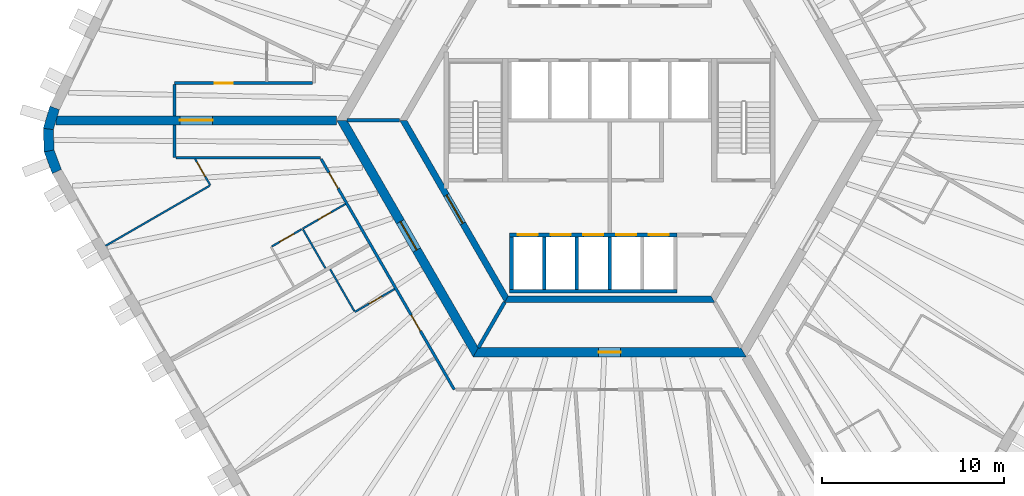
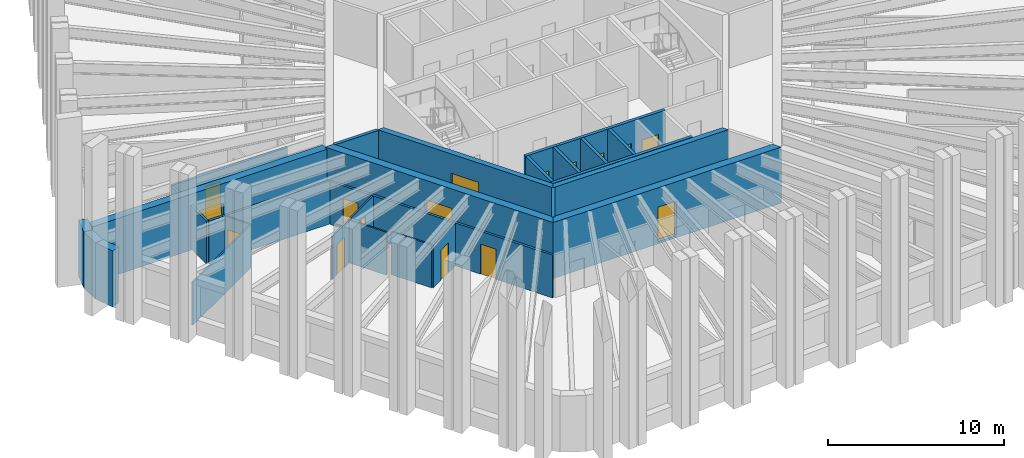
# One storey, part 3 of 10: 28 walls, 16 doors, 16 openings.
"""IFC4 building model written with IfcOpenShell, lengths in metres."""

import ifcopenshell
import ifcopenshell.guid

model = None  # the IFC model being written
_history = None  # IfcOwnerHistory: only IFC2X3 demands one
_inside = {}  # id of a spatial element -> (the spatial element, [elements in it])
_under = {}  # id of a project, library or spatial element -> (it, [spatial elements below it])
_declared = {}  # id of a project -> (the project, [libraries it declares])
_typed = {}  # id of a type object -> (the type object, [elements of that type])
_made_of = {}  # id of a material, layer set ... -> (it, [elements and type objects made of it])


def new_model(schema):
    """Start an empty IFC model of exactly this schema.

    Asked for "IFC4X3", IfcOpenShell would pick the latest addendum, in which some entities
    have other attributes; the version numbers below select the first issue.
    IFC2X3 requires an IfcOwnerHistory on every rooted entity: one is made here for all.
    """
    global model, _history
    if schema == "IFC4X3":
        model = ifcopenshell.file(schema_version=(4, 3, 0, 0))
    else:
        model = ifcopenshell.file(schema=schema)
    _inside.clear()
    _under.clear()
    _declared.clear()
    _typed.clear()
    _made_of.clear()
    _history = None
    if model.schema == "IFC2X3":
        org = make("IfcOrganization", Name="unknown")
        user = make(
            "IfcPersonAndOrganization",
            ThePerson=make("IfcPerson", FamilyName="unknown"),
            TheOrganization=org,
        )
        app = make(
            "IfcApplication",
            ApplicationDeveloper=org,
            Version="unknown",
            ApplicationFullName="unknown",
            ApplicationIdentifier="unknown",
        )
        _history = make(
            "IfcOwnerHistory",
            OwningUser=user,
            OwningApplication=app,
            ChangeAction="ADDED",
            CreationDate=0,
        )
    return model


def make(cls, **values):
    """One entity of the class cls with the attributes given. An attribute that is None is left unset."""
    return model.create_entity(
        cls, **{name: value for name, value in values.items() if value is not None}
    )


def rooted(cls, **values):
    """An entity with a GlobalId (a new one), such as an element, a storey or a relation."""
    return make(cls, GlobalId=ifcopenshell.guid.new(), OwnerHistory=_history, **values)


def si_unit(unit_type, name, prefix=None):
    """IfcSIUnit, for example si_unit("LENGTHUNIT", "METRE", prefix="MILLI")."""
    return make("IfcSIUnit", UnitType=unit_type, Prefix=prefix, Name=name)


def assignment(units):
    """IfcUnitAssignment: the units of a project."""
    return None if units is None else make("IfcUnitAssignment", Units=units)


def point(xyz):
    """IfcCartesianPoint."""
    return None if xyz is None else make("IfcCartesianPoint", Coordinates=xyz)


def direction(xyz):
    """IfcDirection."""
    return None if xyz is None else make("IfcDirection", DirectionRatios=xyz)


def frame(location, z_axis=None, x_axis=None):
    """IfcAxis2Placement3D, a coordinate frame: its origin and axes. An axis left out is left unset."""
    return make(
        "IfcAxis2Placement3D",
        Location=point(location),
        Axis=direction(z_axis),
        RefDirection=direction(x_axis),
    )


def frame_2d(location, x_axis=None):
    """IfcAxis2Placement2D, a coordinate frame in the plane: its origin and x axis."""
    return make(
        "IfcAxis2Placement2D", Location=point(location), RefDirection=direction(x_axis)
    )


def origin():
    """The frame at (0, 0, 0) with its axes left unset."""
    return frame((0.0, 0.0, 0.0))


def place(relative_to, where):
    """IfcLocalPlacement: puts the frame where relative to a parent placement (None: the world)."""
    return make(
        "IfcLocalPlacement", PlacementRelTo=relative_to, RelativePlacement=where
    )


def context(
    kind, dimensions, precision=None, world=None, true_north=None, identifier=None
):
    """IfcGeometricRepresentationContext, for example the 3D "Model" context."""
    return make(
        "IfcGeometricRepresentationContext",
        ContextIdentifier=identifier,
        ContextType=kind,
        CoordinateSpaceDimension=dimensions,
        Precision=precision,
        WorldCoordinateSystem=world,
        TrueNorth=true_north,
    )


def subcontext(parent, identifier, kind, view, scale=None):
    """IfcGeometricRepresentationSubContext, for example "Body" below "Model"."""
    return make(
        "IfcGeometricRepresentationSubContext",
        ContextIdentifier=identifier,
        ContextType=kind,
        ParentContext=parent,
        TargetScale=scale,
        TargetView=view,
    )


def project(units=None, contexts=None):
    """IfcProject with its units and contexts."""
    return rooted(
        "IfcProject",
        Name="project",
        RepresentationContexts=contexts,
        UnitsInContext=assignment(units),
    )


def spatial(cls, under=None, at=None, **own):
    """A site, building, storey or space (cls), placed at a placement, below another one or the project."""
    s = rooted(cls, ObjectPlacement=at, **own)
    if under is not None:
        _under.setdefault(under.id(), (under, []))[1].append(s)
    return s


def polyline(points):
    """IfcPolyline through the points."""
    return make("IfcPolyline", Points=[point(p) for p in points])


def profile(cls, at=None, kind="AREA", **sizes):
    """A parametric profile (cls). Its sizes go by their IFC names, for example OverallWidth=200.0."""
    return make(cls, ProfileType=kind, Position=at, **sizes)


def rectangle(**sizes):
    """IfcRectangleProfileDef."""
    return profile("IfcRectangleProfileDef", **sizes)


def outline(outer, holes=None, kind="AREA"):
    """IfcArbitraryClosedProfileDef: a profile drawn as a closed curve; with holes, ...WithVoids."""
    if holes is None:
        return make("IfcArbitraryClosedProfileDef", ProfileType=kind, OuterCurve=outer)
    return make(
        "IfcArbitraryProfileDefWithVoids",
        ProfileType=kind,
        OuterCurve=outer,
        InnerCurves=holes,
    )


def extrude(swept, where, along, depth):
    """IfcExtrudedAreaSolid: the profile swept, set in the frame where, extruded along a direction by depth."""
    return make(
        "IfcExtrudedAreaSolid",
        SweptArea=swept,
        Position=where,
        ExtrudedDirection=direction(along),
        Depth=depth,
    )


def shape(context_of_items, identifier, shape_type, items):
    """IfcShapeRepresentation: the items that make up one representation, for example the "Body"."""
    return make(
        "IfcShapeRepresentation",
        ContextOfItems=context_of_items,
        RepresentationIdentifier=identifier,
        RepresentationType=shape_type,
        Items=items,
    )


def material(Name=None, Category=None):
    """IfcMaterial."""
    return make("IfcMaterial", Name=Name, Category=Category)


def layer(
    of_material, thickness, ventilated=None, Name=None, Category=None, Priority=None
):
    """IfcMaterialLayer: one layer of a wall or slab, of a material (None: an air gap)."""
    return make(
        "IfcMaterialLayer",
        Material=of_material,
        LayerThickness=thickness,
        IsVentilated=ventilated,
        Name=Name,
        Category=Category,
        Priority=Priority,
    )


def layer_set(layers, Name=None):
    """IfcMaterialLayerSet."""
    return make("IfcMaterialLayerSet", MaterialLayers=layers, LayerSetName=Name)


def made_of(thing, what):
    """Note that an element or type object is made of a material, layer set ...; save() writes the relation."""
    if what is not None:
        _made_of.setdefault(what.id(), (what, []))[1].append(thing)
    return thing


def type_object(cls, material=None, **own):
    """A type object (cls), such as IfcWallType, which elements share."""
    return made_of(rooted(cls, **own), material)


def element(
    cls,
    number,
    at=None,
    inside=None,
    cuts=None,
    type_object=None,
    material=None,
    context=None,
    identifier="Body",
    shape_type=None,
    held_by="IfcProductDefinitionShape",
    body=None,
    shapes=None,
    **own,
):
    """One element of the class cls, such as IfcWall. Its Tag is "e" and its number.

    at: its placement. inside: the storey or other place that contains it. cuts: it is an
    opening in that element (IfcRelVoidsElement). A single representation is given by context,
    identifier, shape_type and body (its items); several are given by shapes. held_by: the class
    of the entity that holds the representations. save() writes the other relations.
    """
    e = rooted(cls, Tag="e%d" % number, ObjectPlacement=at, **own)
    if body is not None:
        shapes = [shape(context, identifier, shape_type, body)]
    if shapes is not None:
        e.Representation = make(held_by, Representations=shapes)
    if inside is not None:
        _inside.setdefault(inside.id(), (inside, []))[1].append(e)
    if cuts is not None:
        rooted(
            "IfcRelVoidsElement", RelatingBuildingElement=cuts, RelatedOpeningElement=e
        )
    if type_object is not None:
        _typed.setdefault(type_object.id(), (type_object, []))[1].append(e)
    return made_of(e, material)


def fill(opening, filler):
    """IfcRelFillsElement: the door or window that sits in an opening."""
    return rooted(
        "IfcRelFillsElement",
        RelatingOpeningElement=opening,
        RelatedBuildingElement=filler,
    )


def aggregate(whole, parts):
    """IfcRelAggregates: a whole, such as a stair, and the parts it consists of."""
    return rooted("IfcRelAggregates", RelatingObject=whole, RelatedObjects=parts)


def save(model, path):
    """Write the relations noted so far, then the file.

    IfcRelAggregates (storeys below a building ...), IfcRelContainedInSpatialStructure (elements
    in a storey), IfcRelDefinesByType, IfcRelAssociatesMaterial and IfcRelDeclares: one each for
    every whole, place, type object, material and project.
    """
    for whole, parts in _under.values():
        aggregate(whole, parts)
    for where, things in _inside.values():
        rooted(
            "IfcRelContainedInSpatialStructure",
            RelatedElements=things,
            RelatingStructure=where,
        )
    for kind, things in _typed.values():
        rooted("IfcRelDefinesByType", RelatedObjects=things, RelatingType=kind)
    for what, things in _made_of.values():
        rooted("IfcRelAssociatesMaterial", RelatedObjects=things, RelatingMaterial=what)
    for by, libraries in _declared.values():
        rooted("IfcRelDeclares", RelatingContext=by, RelatedDefinitions=libraries)
    model.write(path)


model = new_model("IFC4")

# Units and contexts
model_context = context("Model", 3, precision=1e-05, world=origin(), true_north=direction((0.0, 1.0)))
body_context = subcontext(model_context, "Body", "Model", "MODEL_VIEW")
ifc_project = project(units=[si_unit("LENGTHUNIT", "METRE"), si_unit("AREAUNIT", "SQUARE_METRE"), si_unit("VOLUMEUNIT", "CUBIC_METRE"), si_unit("PLANEANGLEUNIT", "RADIAN"), si_unit("MASSUNIT", "GRAM", prefix="KILO")], contexts=[model_context])

# Site, building, storey
site_placement = place(None, origin())
site = spatial("IfcSite", under=ifc_project, at=site_placement, CompositionType="ELEMENT")
building_placement = place(site_placement, origin())
building = spatial("IfcBuilding", under=site, at=building_placement, Name="Tarnside Tower", CompositionType="ELEMENT")
storey_placement = place(building_placement, frame((0.0, 0.0, 226.800048828125)))
storey = spatial("IfcBuildingStorey", under=building, at=storey_placement, Name="L54", CompositionType="ELEMENT", Elevation=226.800048828125)

# Wall, opening, door
ifc_material_1 = material(Name="Gypsum board partition on steel studs", Category="steel")
ifc_layer_1 = layer(ifc_material_1, 0.10009765625)
ifc_layer_set_1 = layer_set([ifc_layer_1], Name="Bathroom wall 100")
wall_type_1 = type_object("IfcWallType", Name="Bathroom wall 100", PredefinedType="PARTITIONING", material=ifc_layer_set_1)
wall_1_placement = place(storey_placement, frame((-16.883056640625, -5.95751953125, 0.0), z_axis=(0.0, 0.0, 1.0), x_axis=(0.866012511928, 0.500022328685, 0.0)))
wall_1 = element("IfcWall", 1, at=wall_1_placement, inside=storey, type_object=wall_type_1, Name="Bathroom wall 18069", PredefinedType="PARTITIONING", context=body_context, shape_type="SweptSolid", body=[
    extrude(rectangle(XDim=2.72509765625, YDim=0.10009765625, at=frame_2d((1.362548828125, 0.0))), origin(), (0.0, 0.0, 1.0), 2.98779296875),
])
opening_1_placement = place(wall_1_placement, frame((1.0, 0.0, 0.0)))
opening_1 = element("IfcOpeningElement", 2, at=opening_1_placement, cuts=wall_1, Name="Opening D-B1", PredefinedType="OPENING", context=body_context, shape_type="SweptSolid", body=[
    extrude(rectangle(XDim=0.800048828125, YDim=2.10009765625, at=frame_2d((0.39990234375, 1.050048828125))), frame((0.0, 0.06005859375, 0.0), z_axis=(0.0, -1.0, 0.0), x_axis=(1.0, 0.0, 0.0)), (0.0, 0.0, 1.0), 0.1201171875),
])
ifc_material_2 = material(Name="Timber door leaf", Category="wood")
door_type_1 = type_object("IfcDoorType", Name="Bathroom door 800", OperationType="NOTDEFINED", PredefinedType="DOOR", material=ifc_material_2)
door_1_placement = place(opening_1_placement, origin())
door_1 = element("IfcDoor", 3, at=door_1_placement, inside=storey, type_object=door_type_1, Name="Bathroom door 18013", OperationType="SINGLE_SWING_LEFT", OverallHeight=2.10009765625, OverallWidth=0.800048828125, PredefinedType="DOOR", context=body_context, shape_type="SweptSolid", body=[
    extrude(rectangle(XDim=0.800048828125, YDim=2.10009765625, at=frame_2d((0.39990234375, 1.050048828125))), frame((0.0, 0.02490234375, 0.0), z_axis=(0.0, -1.0, 0.0), x_axis=(1.0, 0.0, 0.0)), (0.0, 0.0, 1.0), 0.050048828125),
])
fill(opening_1, door_1)

# Wall
wall_2_placement = place(storey_placement, frame((-16.858154296875, -6.0009765625, 0.0), z_axis=(0.0, 0.0, 1.0), x_axis=(0.500003092839, -0.866023618125, 0.0)))
element("IfcWall", 4, at=wall_2_placement, inside=storey, type_object=wall_type_1, Name="Bathroom wall 18075", PredefinedType="PARTITIONING", context=body_context, shape_type="SweptSolid", body=[
    extrude(rectangle(XDim=2.4599609375, YDim=0.10009765625, at=frame_2d((1.22998046875, 0.0))), origin(), (0.0, 0.0, 1.0), 2.98779296875),
])

# Wall, opening, door
wall_3_placement = place(storey_placement, frame((-11.8232421875, -9.271728515625, 0.0), z_axis=(0.0, 0.0, 1.0), x_axis=(-0.866039067339, -0.499976333282, 0.0)))
wall_3 = element("IfcWall", 5, at=wall_3_placement, inside=storey, type_object=wall_type_1, Name="Bathroom wall 18079", PredefinedType="PARTITIONING", context=body_context, shape_type="SweptSolid", body=[
    extrude(rectangle(XDim=2.52490234375, YDim=0.10009765625, at=frame_2d((1.262451171875, 0.0))), origin(), (0.0, 0.0, 1.0), 2.98779296875),
])
opening_2_placement = place(wall_3_placement, frame((0.824951171875, 0.0, 0.0)))
opening_2 = element("IfcOpeningElement", 6, at=opening_2_placement, cuts=wall_3, Name="Opening D-B1", PredefinedType="OPENING", context=body_context, shape_type="SweptSolid", body=[
    extrude(rectangle(XDim=0.800048828125, YDim=2.10009765625, at=frame_2d((0.39990234375, 1.050048828125))), frame((0.0, 0.06005859375, 0.0), z_axis=(0.0, -1.0, 0.0), x_axis=(1.0, 0.0, 0.0)), (0.0, 0.0, 1.0), 0.1201171875),
])
door_2_placement = place(opening_2_placement, origin())
door_2 = element("IfcDoor", 7, at=door_2_placement, inside=storey, type_object=door_type_1, Name="Bathroom door 18017", OperationType="SINGLE_SWING_RIGHT", OverallHeight=2.10009765625, OverallWidth=0.800048828125, PredefinedType="DOOR", context=body_context, shape_type="SweptSolid", body=[
    extrude(rectangle(XDim=0.800048828125, YDim=2.10009765625, at=frame_2d((0.39990234375, 1.050048828125))), frame((0.0, 0.02490234375, 0.0), z_axis=(0.0, -1.0, 0.0), x_axis=(1.0, 0.0, 0.0)), (0.0, 0.0, 1.0), 0.050048828125),
])
fill(opening_2, door_2)

# Wall
wall_4_placement = place(storey_placement, frame((-14.034912109375, -10.49072265625, 0.0), z_axis=(0.0, 0.0, 1.0), x_axis=(-0.50004820116, 0.865997573043, 0.0)))
element("IfcWall", 8, at=wall_4_placement, inside=storey, type_object=wall_type_1, Name="Bathroom wall 18080", PredefinedType="PARTITIONING", context=body_context, shape_type="SweptSolid", body=[
    extrude(rectangle(XDim=2.659912109375, YDim=0.10009765625, at=frame_2d((1.330078125, 0.0))), origin(), (0.0, 0.0, 1.0), 2.98779296875),
])

# Wall, opening, door
ifc_material_3 = material(Name="Concrete C50/60", Category="concrete")
ifc_layer_2 = layer(ifc_material_3, 0.35009765625)
ifc_layer_set_2 = layer_set([ifc_layer_2], Name="Core block wall 350 C50/60")
wall_type_2 = type_object("IfcWallType", Name="Core block wall 350 C50/60", PredefinedType="SHEAR", material=ifc_layer_set_2)
wall_5_placement = place(storey_placement, frame((-11.344970703125, 0.0, -0.150146484375), z_axis=(0.0, 0.0, 1.0), x_axis=(0.499995046907, -0.866028263435, 0.0)))
wall_5 = element("IfcWall", 9, at=wall_5_placement, inside=storey, type_object=wall_type_2, Name="L54 core block wall face 3", PredefinedType="SHEAR", context=body_context, shape_type="SweptSolid", body=[
    extrude(outline(polyline([(-0.10107421875, -0.175048828125), (11.44580078125, -0.175048828125), (11.24365234375, 0.175048828125), (0.10107421875, 0.175048828125), (-0.10107421875, -0.175048828125)])), origin(), (0.0, 0.0, 1.0), 3.900146484375),
])
opening_3_placement = place(wall_5_placement, frame((4.74365234375, 0.0, 0.14990234375)))
opening_3 = element("IfcOpeningElement", 10, at=opening_3_placement, cuts=wall_5, Name="Opening CD-FFL", PredefinedType="OPENING", context=body_context, shape_type="SweptSolid", body=[
    extrude(rectangle(XDim=1.800048828125, YDim=2.39990234375, at=frame_2d((0.89990234375, 1.199951171875))), frame((0.0, 0.18505859375, 0.0), z_axis=(0.0, -1.0, 0.0), x_axis=(1.0, 0.0, 0.0)), (0.0, 0.0, 1.0), 0.3701171875),
])
ifc_material_4 = material(Name="Steel fire door", Category="steel")
door_type_2 = type_object("IfcDoorType", Name="Firefighting lobby double door FD60S 1800x2400", OperationType="NOTDEFINED", PredefinedType="DOOR", material=ifc_material_4)
door_3_placement = place(opening_3_placement, origin())
door_3 = element("IfcDoor", 11, at=door_3_placement, inside=storey, type_object=door_type_2, Name="L54 lobby block door P3", OperationType="DOUBLE_DOOR_SINGLE_SWING", OverallHeight=2.39990234375, OverallWidth=1.800048828125, PredefinedType="DOOR", context=body_context, shape_type="SweptSolid", body=[
    extrude(rectangle(XDim=1.800048828125, YDim=2.39990234375, at=frame_2d((0.89990234375, 1.199951171875))), frame((0.0, 0.02490234375, 0.0), z_axis=(0.0, -1.0, 0.0), x_axis=(1.0, 0.0, 0.0)), (0.0, 0.0, 1.0), 0.050048828125),
])
fill(opening_3, door_3)

# Wall
wall_6_placement = place(storey_placement, frame((-5.672607421875, -9.824951171875, -0.150146484375), z_axis=(0.0, 0.0, 1.0), x_axis=(1.0, 0.0, 0.0)))
element("IfcWall", 12, at=wall_6_placement, inside=storey, type_object=wall_type_2, Name="L54 core block wall face 4", PredefinedType="SHEAR", context=body_context, shape_type="SweptSolid", body=[
    extrude(outline(polyline([(-0.10107421875, -0.175048828125), (11.4462890625, -0.175048828125), (11.244140625, 0.175048828125), (0.10107421875, 0.175048828125), (-0.10107421875, -0.175048828125)])), origin(), (0.0, 0.0, 1.0), 3.900146484375),
])

# Wall, opening, door
ifc_material_5 = material(Name="Concrete C70/85", Category="concrete")
ifc_layer_3 = layer(ifc_material_5, 0.5)
ifc_layer_set_3 = layer_set([ifc_layer_3], Name="Core wall Z2 500 C70/85")
wall_type_3 = type_object("IfcWallType", Name="Core wall Z2 500 C70/85", PredefinedType="SHEAR", material=ifc_layer_set_3)
wall_7_placement = place(storey_placement, frame((-14.722412109375, 0.0, -0.150146484375), z_axis=(0.0, 0.0, 1.0), x_axis=(0.50000571537, -0.866022103989, 0.0)))
wall_7 = element("IfcWall", 13, at=wall_7_placement, inside=storey, type_object=wall_type_3, Name="L54 core wall face 3", PredefinedType="SHEAR", context=body_context, shape_type="SweptSolid", body=[
    extrude(outline(polyline([(-0.144287109375, -0.25), (14.86669921875, -0.25), (14.578125, 0.25), (0.144287109375, 0.25), (-0.144287109375, -0.25)])), origin(), (0.0, 0.0, 1.0), 3.900146484375),
])
opening_4_placement = place(wall_7_placement, frame((6.432373046875, 0.0, 0.14990234375)))
opening_4 = element("IfcOpeningElement", 14, at=opening_4_placement, cuts=wall_7, Name="Opening CD-FFL", PredefinedType="OPENING", context=body_context, shape_type="SweptSolid", body=[
    extrude(rectangle(XDim=1.800048828125, YDim=2.39990234375, at=frame_2d((0.89990234375, 1.199951171875))), frame((0.0, 0.260009765625, 0.0), z_axis=(0.0, -1.0, 0.0), x_axis=(1.0, 0.0, 0.0)), (0.0, 0.0, 1.0), 0.52001953125),
])
door_4_placement = place(opening_4_placement, origin())
door_4 = element("IfcDoor", 15, at=door_4_placement, inside=storey, type_object=door_type_2, Name="L54 core door P3", OperationType="DOUBLE_DOOR_SINGLE_SWING", OverallHeight=2.39990234375, OverallWidth=1.800048828125, PredefinedType="DOOR", context=body_context, shape_type="SweptSolid", body=[
    extrude(rectangle(XDim=1.800048828125, YDim=2.39990234375, at=frame_2d((0.89990234375, 1.199951171875))), frame((0.0, 0.02490234375, 0.0), z_axis=(0.0, -1.0, 0.0), x_axis=(1.0, 0.0, 0.0)), (0.0, 0.0, 1.0), 0.050048828125),
])
fill(opening_4, door_4)

wall_8_placement = place(storey_placement, frame((-7.361083984375, -12.75, -0.150146484375), z_axis=(0.0, 0.0, 1.0), x_axis=(1.0, 0.0, 0.0)))
wall_8 = element("IfcWall", 16, at=wall_8_placement, inside=storey, type_object=wall_type_3, Name="L54 core wall face 4", PredefinedType="SHEAR", context=body_context, shape_type="SweptSolid", body=[
    extrude(outline(polyline([(-0.144287109375, -0.25), (14.866455078125, -0.25), (14.577880859375, 0.25), (0.144287109375, 0.25), (-0.144287109375, -0.25)])), origin(), (0.0, 0.0, 1.0), 3.900146484375),
])
opening_5_placement = place(wall_8_placement, frame((6.76123046875, 0.0, 0.14990234375)))
opening_5 = element("IfcOpeningElement", 17, at=opening_5_placement, cuts=wall_8, Name="Opening CD-RSR", PredefinedType="OPENING", context=body_context, shape_type="SweptSolid", body=[
    extrude(rectangle(XDim=1.199951171875, YDim=2.39990234375, at=frame_2d((0.60009765625, 1.199951171875))), frame((0.0, 0.260009765625, 0.0), z_axis=(0.0, -1.0, 0.0), x_axis=(1.0, 0.0, 0.0)), (0.0, 0.0, 1.0), 0.52001953125),
])
door_type_3 = type_object("IfcDoorType", Name="Riser door FD60 1200x2400", OperationType="NOTDEFINED", PredefinedType="DOOR", material=ifc_material_4)
door_5_placement = place(opening_5_placement, origin())
door_5 = element("IfcDoor", 18, at=door_5_placement, inside=storey, type_object=door_type_3, Name="L54 core door S6", OperationType="SINGLE_SWING_LEFT", OverallHeight=2.39990234375, OverallWidth=1.199951171875, PredefinedType="DOOR", context=body_context, shape_type="SweptSolid", body=[
    extrude(rectangle(XDim=1.199951171875, YDim=2.39990234375, at=frame_2d((0.60009765625, 1.199951171875))), frame((0.0, 0.02490234375, 0.0), z_axis=(0.0, -1.0, 0.0), x_axis=(1.0, 0.0, 0.0)), (0.0, 0.0, 1.0), 0.050048828125),
])
fill(opening_5, door_5)

wall_9_placement = place(storey_placement, frame((-15.010986328125, 0.0, -0.150146484375), z_axis=(0.0, 0.0, 1.0), x_axis=(-1.0, 0.0, 0.0)))
wall_9 = element("IfcWall", 19, at=wall_9_placement, inside=storey, type_object=wall_type_3, Name="L54 spine wall 2", PredefinedType="SHEAR", context=body_context, shape_type="SweptSolid", body=[
    extrude(rectangle(XDim=15.423828125, YDim=0.5, at=frame_2d((7.7119140625, 0.0))), origin(), (0.0, 0.0, 1.0), 3.900146484375),
])
opening_6_placement = place(wall_9_placement, frame((6.811767578125, 0.0, 0.14990234375)))
opening_6 = element("IfcOpeningElement", 20, at=opening_6_placement, cuts=wall_9, Name="Opening CD-SPN", PredefinedType="OPENING", context=body_context, shape_type="SweptSolid", body=[
    extrude(rectangle(XDim=1.800048828125, YDim=2.39990234375, at=frame_2d((0.89990234375, 1.199951171875))), frame((0.0, 0.260009765625, 0.0), z_axis=(0.0, -1.0, 0.0), x_axis=(1.0, 0.0, 0.0)), (0.0, 0.0, 1.0), 0.52001953125),
])
door_type_4 = type_object("IfcDoorType", Name="Spine passage double door FD60 1800x2400", OperationType="NOTDEFINED", PredefinedType="DOOR", material=ifc_material_4)
door_6_placement = place(opening_6_placement, origin())
door_6 = element("IfcDoor", 21, at=door_6_placement, inside=storey, type_object=door_type_4, Name="L54 spine passage door 2", OperationType="DOUBLE_DOOR_SINGLE_SWING", OverallHeight=2.39990234375, OverallWidth=1.800048828125, PredefinedType="DOOR", context=body_context, shape_type="SweptSolid", body=[
    extrude(rectangle(XDim=1.800048828125, YDim=2.39990234375, at=frame_2d((0.89990234375, 1.199951171875))), frame((0.0, 0.02490234375, 0.0), z_axis=(0.0, -1.0, 0.0), x_axis=(1.0, 0.0, 0.0)), (0.0, 0.0, 1.0), 0.050048828125),
])
fill(opening_6, door_6)

ifc_layer_4 = layer(ifc_material_1, 0.14990234375)
ifc_layer_set_4 = layer_set([ifc_layer_4], Name="Corridor wall 150 EI 60")
wall_type_4 = type_object("IfcWallType", Name="Corridor wall 150 EI 60", PredefinedType="PARTITIONING", material=ifc_layer_set_4)
wall_10_placement = place(storey_placement, frame((-16.3310546875, 2.050048828125, 0.0), z_axis=(0.0, 0.0, 1.0), x_axis=(-1.0, 0.0, 0.0)))
wall_10 = element("IfcWall", 22, at=wall_10_placement, inside=storey, type_object=wall_type_4, Name="Corridor wall 18014", PredefinedType="PARTITIONING", context=body_context, shape_type="SweptSolid", body=[
    extrude(rectangle(XDim=7.591796875, YDim=0.14990234375, at=frame_2d((3.7958984375, 0.0))), origin(), (0.0, 0.0, 1.0), 2.98779296875),
])
opening_7_placement = place(wall_10_placement, frame((4.383544921875, 0.0, 0.0)))
opening_7 = element("IfcOpeningElement", 23, at=opening_7_placement, cuts=wall_10, Name="Opening D-E1", PredefinedType="OPENING", context=body_context, shape_type="SweptSolid", body=[
    extrude(rectangle(XDim=1.0, YDim=2.10009765625, at=frame_2d((0.5, 1.050048828125))), frame((0.0, 0.0849609375, 0.0), z_axis=(0.0, -1.0, 0.0), x_axis=(1.0, 0.0, 0.0)), (0.0, 0.0, 1.0), 0.169921875),
])
door_type_5 = type_object("IfcDoorType", Name="Unit entrance door 1000 FD30S", OperationType="NOTDEFINED", PredefinedType="DOOR", material=ifc_material_2)
door_7_placement = place(opening_7_placement, origin())
door_7 = element("IfcDoor", 24, at=door_7_placement, inside=storey, type_object=door_type_5, Name="Unit door 18010", OperationType="SINGLE_SWING_RIGHT", OverallHeight=2.10009765625, OverallWidth=1.0, PredefinedType="DOOR", context=body_context, shape_type="SweptSolid", body=[
    extrude(rectangle(XDim=1.0, YDim=2.10009765625, at=frame_2d((0.5, 1.050048828125))), frame((0.0, 0.02490234375, 0.0), z_axis=(0.0, -1.0, 0.0), x_axis=(1.0, 0.0, 0.0)), (0.0, 0.0, 1.0), 0.050048828125),
])
fill(opening_7, door_7)

# Walls
wall_11_placement = place(storey_placement, frame((-23.9228515625, 1.97509765625, 0.0), z_axis=(0.0, 0.0, 1.0), x_axis=(0.0, -1.0, 0.0)))
element("IfcWall", 25, at=wall_11_placement, inside=storey, type_object=wall_type_4, Name="Corridor wall 18015", PredefinedType="PARTITIONING", context=body_context, shape_type="SweptSolid", body=[
    extrude(rectangle(XDim=1.72509765625, YDim=0.14990234375, at=frame_2d((0.862548828125, 0.0))), origin(), (0.0, 0.0, 1.0), 2.98779296875),
])
wall_12_placement = place(storey_placement, frame((-23.847900390625, -2.050048828125, 0.0), z_axis=(0.0, 0.0, 1.0), x_axis=(1.0, 0.0, 0.0)))
element("IfcWall", 26, at=wall_12_placement, inside=storey, type_object=wall_type_4, Name="Corridor wall 18018", PredefinedType="PARTITIONING", context=body_context, shape_type="SweptSolid", body=[
    extrude(rectangle(XDim=7.94189453125, YDim=0.14990234375, at=frame_2d((3.970947265625, 0.0))), origin(), (0.0, 0.0, 1.0), 2.98779296875),
])

# Wall, openings, doors
wall_13_placement = place(storey_placement, frame((-15.86279296875, -2.125, 0.0), z_axis=(0.0, 0.0, 1.0), x_axis=(0.500008833422, -0.866020303746, 0.0)))
wall_13 = element("IfcWall", 27, at=wall_13_placement, inside=storey, type_object=wall_type_4, Name="Corridor wall 18019", PredefinedType="PARTITIONING", context=body_context, shape_type="SweptSolid", body=[
    extrude(rectangle(XDim=14.635986328125, YDim=0.14990234375, at=frame_2d((7.31787109375, 0.0))), origin(), (0.0, 0.0, 1.0), 2.98779296875),
])
opening_8_placement = place(wall_13_placement, frame((0.861083984375, 0.0, 0.0)))
opening_8 = element("IfcOpeningElement", 28, at=opening_8_placement, cuts=wall_13, Name="Opening D-E1", PredefinedType="OPENING", context=body_context, shape_type="SweptSolid", body=[
    extrude(rectangle(XDim=1.0, YDim=2.10009765625, at=frame_2d((0.5, 1.050048828125))), frame((0.0, 0.0849609375, 0.0), z_axis=(0.0, -1.0, 0.0), x_axis=(1.0, 0.0, 0.0)), (0.0, 0.0, 1.0), 0.169921875),
])
opening_9_placement = place(wall_13_placement, frame((9.908935546875, 0.0, 0.0)))
opening_9 = element("IfcOpeningElement", 29, at=opening_9_placement, cuts=wall_13, Name="Opening D-E1", PredefinedType="OPENING", context=body_context, shape_type="SweptSolid", body=[
    extrude(rectangle(XDim=1.0, YDim=2.10009765625, at=frame_2d((0.5, 1.050048828125))), frame((0.0, 0.0849609375, 0.0), z_axis=(0.0, -1.0, 0.0), x_axis=(1.0, 0.0, 0.0)), (0.0, 0.0, 1.0), 0.169921875),
])
door_8_placement = place(opening_8_placement, origin())
door_8 = element("IfcDoor", 30, at=door_8_placement, inside=storey, type_object=door_type_5, Name="Unit door 18012", OperationType="SINGLE_SWING_RIGHT", OverallHeight=2.10009765625, OverallWidth=1.0, PredefinedType="DOOR", context=body_context, shape_type="SweptSolid", body=[
    extrude(rectangle(XDim=1.0, YDim=2.10009765625, at=frame_2d((0.5, 1.050048828125))), frame((0.0, 0.02490234375, 0.0), z_axis=(0.0, -1.0, 0.0), x_axis=(1.0, 0.0, 0.0)), (0.0, 0.0, 1.0), 0.050048828125),
])
fill(opening_8, door_8)
door_9_placement = place(opening_9_placement, origin())
door_9 = element("IfcDoor", 31, at=door_9_placement, inside=storey, type_object=door_type_5, Name="Unit door 18016", OperationType="SINGLE_SWING_RIGHT", OverallHeight=2.10009765625, OverallWidth=1.0, PredefinedType="DOOR", context=body_context, shape_type="SweptSolid", body=[
    extrude(rectangle(XDim=1.0, YDim=2.10009765625, at=frame_2d((0.5, 1.050048828125))), frame((0.0, 0.02490234375, 0.0), z_axis=(0.0, -1.0, 0.0), x_axis=(1.0, 0.0, 0.0)), (0.0, 0.0, 1.0), 0.050048828125),
])
fill(opening_9, door_9)

# Wall
wall_14_placement = place(storey_placement, frame((-23.9228515625, -0.25, 0.0), z_axis=(0.0, 0.0, 1.0), x_axis=(0.0, -1.0, 0.0)))
element("IfcWall", 32, at=wall_14_placement, inside=storey, type_object=wall_type_4, Name="Corridor wall 18021", PredefinedType="PARTITIONING", context=body_context, shape_type="SweptSolid", body=[
    extrude(rectangle(XDim=1.800048828125, YDim=0.14990234375, at=frame_2d((0.89990234375, 0.0))), origin(), (0.0, 0.0, 1.0), 2.98779296875),
])

# Wall, openings, doors
ifc_material_6 = material(Name="Concrete C40/50", Category="concrete")
ifc_layer_5 = layer(ifc_material_6, 0.199951171875)
ifc_layer_set_5 = layer_set([ifc_layer_5], Name="Lift shaft wall 200 C40/50")
wall_type_5 = type_object("IfcWallType", Name="Lift shaft wall 200 C40/50", PredefinedType="SHEAR", material=ifc_layer_set_5)
wall_15_placement = place(storey_placement, frame((-5.5, -6.300048828125, -0.25), z_axis=(0.0, 0.0, 1.0), x_axis=(1.0, 0.0, 0.0)))
wall_15 = element("IfcWall", 33, at=wall_15_placement, inside=storey, type_object=wall_type_5, Name="L54 lift shaft front wall R4", PredefinedType="SHEAR", context=body_context, shape_type="SweptSolid", body=[
    extrude(rectangle(XDim=9.199951171875, YDim=0.199951171875, at=frame_2d((4.60009765625, 0.0))), origin(), (0.0, 0.0, 1.0), 3.89990234375),
])
opening_10_placement = place(wall_15_placement, frame((0.449951171875, 0.0, 0.25)))
opening_10 = element("IfcOpeningElement", 34, at=opening_10_placement, cuts=wall_15, Name="Opening LDF", PredefinedType="OPENING", context=body_context, shape_type="SweptSolid", body=[
    extrude(rectangle(XDim=1.10009765625, YDim=2.10009765625, at=frame_2d((0.550048828125, 1.050048828125))), frame((0.0, 0.10986328125, 0.0), z_axis=(0.0, -1.0, 0.0), x_axis=(1.0, 0.0, 0.0)), (0.0, 0.0, 1.0), 0.219970703125),
])
opening_11_placement = place(wall_15_placement, frame((2.25, 0.0, 0.25)))
opening_11 = element("IfcOpeningElement", 35, at=opening_11_placement, cuts=wall_15, Name="Opening LDF", PredefinedType="OPENING", context=body_context, shape_type="SweptSolid", body=[
    extrude(rectangle(XDim=1.10009765625, YDim=2.10009765625, at=frame_2d((0.550048828125, 1.050048828125))), frame((0.0, 0.10986328125, 0.0), z_axis=(0.0, -1.0, 0.0), x_axis=(1.0, 0.0, 0.0)), (0.0, 0.0, 1.0), 0.219970703125),
])
opening_12_placement = place(wall_15_placement, frame((4.050048828125, 0.0, 0.25)))
opening_12 = element("IfcOpeningElement", 36, at=opening_12_placement, cuts=wall_15, Name="Opening LDF", PredefinedType="OPENING", context=body_context, shape_type="SweptSolid", body=[
    extrude(rectangle(XDim=1.10009765625, YDim=2.10009765625, at=frame_2d((0.550048828125, 1.050048828125))), frame((0.0, 0.10986328125, 0.0), z_axis=(0.0, -1.0, 0.0), x_axis=(1.0, 0.0, 0.0)), (0.0, 0.0, 1.0), 0.219970703125),
])
opening_13_placement = place(wall_15_placement, frame((5.85009765625, 0.0, 0.25)))
opening_13 = element("IfcOpeningElement", 37, at=opening_13_placement, cuts=wall_15, Name="Opening LDF", PredefinedType="OPENING", context=body_context, shape_type="SweptSolid", body=[
    extrude(rectangle(XDim=1.10009765625, YDim=2.10009765625, at=frame_2d((0.550048828125, 1.050048828125))), frame((0.0, 0.10986328125, 0.0), z_axis=(0.0, -1.0, 0.0), x_axis=(1.0, 0.0, 0.0)), (0.0, 0.0, 1.0), 0.219970703125),
])
opening_14_placement = place(wall_15_placement, frame((7.64990234375, 0.0, 0.25)))
opening_14 = element("IfcOpeningElement", 38, at=opening_14_placement, cuts=wall_15, Name="Opening LDF", PredefinedType="OPENING", context=body_context, shape_type="SweptSolid", body=[
    extrude(rectangle(XDim=1.10009765625, YDim=2.10009765625, at=frame_2d((0.550048828125, 1.050048828125))), frame((0.0, 0.10986328125, 0.0), z_axis=(0.0, -1.0, 0.0), x_axis=(1.0, 0.0, 0.0)), (0.0, 0.0, 1.0), 0.219970703125),
])
ifc_material_7 = material(Name="Stainless steel", Category="steel")
door_type_6 = type_object("IfcDoorType", Name="Lift landing door 1100x2100 EI 120", OperationType="NOTDEFINED", PredefinedType="DOOR", material=ifc_material_7)
door_10_placement = place(opening_10_placement, origin())
door_10 = element("IfcDoor", 39, at=door_10_placement, inside=storey, type_object=door_type_6, Name="Firefighting lift 1 landing door L54", OperationType="SLIDING_TO_LEFT", OverallHeight=2.10009765625, OverallWidth=1.10009765625, PredefinedType="DOOR", context=body_context, shape_type="SweptSolid", body=[
    extrude(rectangle(XDim=1.10009765625, YDim=2.10009765625, at=frame_2d((0.550048828125, 1.050048828125))), frame((0.0, 0.02490234375, 0.0), z_axis=(0.0, -1.0, 0.0), x_axis=(1.0, 0.0, 0.0)), (0.0, 0.0, 1.0), 0.050048828125),
])
fill(opening_10, door_10)
door_11_placement = place(opening_11_placement, origin())
door_11 = element("IfcDoor", 40, at=door_11_placement, inside=storey, type_object=door_type_6, Name="Firefighting lift 2 landing door L54", OperationType="SLIDING_TO_LEFT", OverallHeight=2.10009765625, OverallWidth=1.10009765625, PredefinedType="DOOR", context=body_context, shape_type="SweptSolid", body=[
    extrude(rectangle(XDim=1.10009765625, YDim=2.10009765625, at=frame_2d((0.550048828125, 1.050048828125))), frame((0.0, 0.02490234375, 0.0), z_axis=(0.0, -1.0, 0.0), x_axis=(1.0, 0.0, 0.0)), (0.0, 0.0, 1.0), 0.050048828125),
])
fill(opening_11, door_11)
door_12_placement = place(opening_12_placement, origin())
door_12 = element("IfcDoor", 41, at=door_12_placement, inside=storey, type_object=door_type_6, Name="Firefighting lift 3 landing door L54", OperationType="SLIDING_TO_LEFT", OverallHeight=2.10009765625, OverallWidth=1.10009765625, PredefinedType="DOOR", context=body_context, shape_type="SweptSolid", body=[
    extrude(rectangle(XDim=1.10009765625, YDim=2.10009765625, at=frame_2d((0.550048828125, 1.050048828125))), frame((0.0, 0.02490234375, 0.0), z_axis=(0.0, -1.0, 0.0), x_axis=(1.0, 0.0, 0.0)), (0.0, 0.0, 1.0), 0.050048828125),
])
fill(opening_12, door_12)
door_13_placement = place(opening_13_placement, origin())
door_13 = element("IfcDoor", 42, at=door_13_placement, inside=storey, type_object=door_type_6, Name="Firefighting lift 4 landing door L54", OperationType="SLIDING_TO_LEFT", OverallHeight=2.10009765625, OverallWidth=1.10009765625, PredefinedType="DOOR", context=body_context, shape_type="SweptSolid", body=[
    extrude(rectangle(XDim=1.10009765625, YDim=2.10009765625, at=frame_2d((0.550048828125, 1.050048828125))), frame((0.0, 0.02490234375, 0.0), z_axis=(0.0, -1.0, 0.0), x_axis=(1.0, 0.0, 0.0)), (0.0, 0.0, 1.0), 0.050048828125),
])
fill(opening_13, door_13)
door_14_placement = place(opening_14_placement, origin())
door_14 = element("IfcDoor", 43, at=door_14_placement, inside=storey, type_object=door_type_6, Name="Firefighting lift 5 landing door L54", OperationType="SLIDING_TO_LEFT", OverallHeight=2.10009765625, OverallWidth=1.10009765625, PredefinedType="DOOR", context=body_context, shape_type="SweptSolid", body=[
    extrude(rectangle(XDim=1.10009765625, YDim=2.10009765625, at=frame_2d((0.550048828125, 1.050048828125))), frame((0.0, 0.02490234375, 0.0), z_axis=(0.0, -1.0, 0.0), x_axis=(1.0, 0.0, 0.0)), (0.0, 0.0, 1.0), 0.050048828125),
])
fill(opening_14, door_14)

# Walls
wall_16_placement = place(storey_placement, frame((-5.5, -9.39990234375, -0.25), z_axis=(0.0, 0.0, 1.0), x_axis=(1.0, 0.0, 0.0)))
element("IfcWall", 44, at=wall_16_placement, inside=storey, type_object=wall_type_5, Name="L54 lift shaft back wall R4", PredefinedType="SHEAR", context=body_context, shape_type="SweptSolid", body=[
    extrude(rectangle(XDim=9.199951171875, YDim=0.199951171875, at=frame_2d((4.60009765625, 0.0))), origin(), (0.0, 0.0, 1.0), 3.89990234375),
])
for number, where, z_axis, x_axis, name in (
    (45, (-5.39990234375, -9.300048828125, -0.25), (0.0, 0.0, 1.0), (0.0, 1.0, 0.0), "L54 lift shaft partition R41"),
    (46, (-3.60009765625, -9.300048828125, -0.25), (0.0, 0.0, 1.0), (0.0, 1.0, 0.0), "L54 lift shaft partition R42"),
    (47, (-1.800048828125, -9.300048828125, -0.25), (0.0, 0.0, 1.0), (0.0, 1.0, 0.0), "L54 lift shaft partition R43"),
    (48, (0.0, -9.300048828125, -0.25), (0.0, 0.0, 1.0), (0.0, 1.0, 0.0), "L54 lift shaft partition R44"),
):
    element("IfcWall", number, at=place(storey_placement, frame(where, z_axis=z_axis, x_axis=x_axis)), inside=storey, type_object=wall_type_5, Name=name, PredefinedType="SHEAR", context=body_context, shape_type="SweptSolid", body=[
        extrude(rectangle(XDim=2.900146484375, YDim=0.199951171875, at=frame_2d((1.4501953125, 0.0))), origin(), (0.0, 0.0, 1.0), 3.89990234375),
    ])
for number, where, z_axis, x_axis, name in (
    (49, (-11.547119140625, 0.0, -0.150146484375), (0.0, 0.0, 1.0), (-1.0, 0.0, 0.0), "L54 core partition AR180"),
    (50, (-5.7734375, -10.0, -0.150146484375), (0.0, 0.0, 1.0), (-0.499995765644, -0.866027848477, 0.0), "L54 core partition AR240"),
):
    element("IfcWall", number, at=place(storey_placement, frame(where, z_axis=z_axis, x_axis=x_axis)), inside=storey, type_object=wall_type_5, Name=name, PredefinedType="SHEAR", context=body_context, shape_type="SweptSolid", body=[
        extrude(rectangle(XDim=2.88671875, YDim=0.199951171875, at=frame_2d((1.443359375, 0.0))), origin(), (0.0, 0.0, 1.0), 3.900146484375),
    ])

# Wall, opening, door
ifc_layer_6 = layer(ifc_material_1, 0.10009765625)
ifc_layer_set_6 = layer_set([ifc_layer_6], Name="Partition 100")
wall_type_6 = type_object("IfcWallType", Name="Partition 100", PredefinedType="PARTITIONING", material=ifc_layer_set_6)
wall_17_placement = place(storey_placement, frame((-18.57177734375, -6.9326171875, 0.0), z_axis=(0.0, 0.0, 1.0), x_axis=(0.86601224135, 0.500022797313, 0.0)))
wall_17 = element("IfcWall", 51, at=wall_17_placement, inside=storey, type_object=wall_type_6, Name="Partition wall 18071", PredefinedType="PARTITIONING", context=body_context, shape_type="SweptSolid", body=[
    extrude(rectangle(XDim=1.89990234375, YDim=0.10009765625, at=frame_2d((0.949951171875, 0.0))), origin(), (0.0, 0.0, 1.0), 2.98779296875),
])
opening_15_placement = place(wall_17_placement, frame((0.5, 0.0, 0.0)))
opening_15 = element("IfcOpeningElement", 52, at=opening_15_placement, cuts=wall_17, Name="Opening D-I1", PredefinedType="OPENING", context=body_context, shape_type="SweptSolid", body=[
    extrude(rectangle(XDim=0.89990234375, YDim=2.10009765625, at=frame_2d((0.449951171875, 1.050048828125))), frame((0.0, 0.06005859375, 0.0), z_axis=(0.0, -1.0, 0.0), x_axis=(1.0, 0.0, 0.0)), (0.0, 0.0, 1.0), 0.1201171875),
])
door_type_7 = type_object("IfcDoorType", Name="Internal door 900", OperationType="NOTDEFINED", PredefinedType="DOOR", material=ifc_material_2)
door_15_placement = place(opening_15_placement, origin())
door_15 = element("IfcDoor", 53, at=door_15_placement, inside=storey, type_object=door_type_7, Name="Internal door 18014", OperationType="SINGLE_SWING_RIGHT", OverallHeight=2.10009765625, OverallWidth=0.89990234375, PredefinedType="DOOR", context=body_context, shape_type="SweptSolid", body=[
    extrude(rectangle(XDim=0.89990234375, YDim=2.10009765625, at=frame_2d((0.449951171875, 1.050048828125))), frame((0.0, 0.02490234375, 0.0), z_axis=(0.0, -1.0, 0.0), x_axis=(1.0, 0.0, 0.0)), (0.0, 0.0, 1.0), 0.050048828125),
])
fill(opening_15, door_15)

wall_18_placement = place(storey_placement, frame((-22.791015625, -2.125, 0.0), z_axis=(0.0, 0.0, 1.0), x_axis=(0.500046635412, -0.865998477143, 0.0)))
wall_18 = element("IfcWall", 54, at=wall_18_placement, inside=storey, type_object=wall_type_6, Name="Partition wall 18072", PredefinedType="PARTITIONING", context=body_context, shape_type="SweptSolid", body=[
    extrude(rectangle(XDim=1.673095703125, YDim=0.10009765625, at=frame_2d((0.83642578125, 0.0))), origin(), (0.0, 0.0, 1.0), 2.98779296875),
])
opening_16_placement = place(wall_18_placement, frame((0.199951171875, 0.0, 0.0)))
opening_16 = element("IfcOpeningElement", 55, at=opening_16_placement, cuts=wall_18, Name="Opening D-I1", PredefinedType="OPENING", context=body_context, shape_type="SweptSolid", body=[
    extrude(rectangle(XDim=0.89990234375, YDim=2.10009765625, at=frame_2d((0.449951171875, 1.050048828125))), frame((0.0, 0.06005859375, 0.0), z_axis=(0.0, -1.0, 0.0), x_axis=(1.0, 0.0, 0.0)), (0.0, 0.0, 1.0), 0.1201171875),
])
door_16_placement = place(opening_16_placement, origin())
door_16 = element("IfcDoor", 56, at=door_16_placement, inside=storey, type_object=door_type_7, Name="Internal door 18015", OperationType="SINGLE_SWING_RIGHT", OverallHeight=2.10009765625, OverallWidth=0.89990234375, PredefinedType="DOOR", context=body_context, shape_type="SweptSolid", body=[
    extrude(rectangle(XDim=0.89990234375, YDim=2.10009765625, at=frame_2d((0.449951171875, 1.050048828125))), frame((0.0, 0.02490234375, 0.0), z_axis=(0.0, -1.0, 0.0), x_axis=(1.0, 0.0, 0.0)), (0.0, 0.0, 1.0), 0.050048828125),
])
fill(opening_16, door_16)

# Walls
wall_19_placement = place(storey_placement, frame((-21.997802734375, -3.598876953125, 0.0), z_axis=(0.0, 0.0, 1.0), x_axis=(-0.866014946329, -0.500018112406, 0.0)))
element("IfcWall", 57, at=wall_19_placement, inside=storey, type_object=wall_type_6, Name="Partition wall 18073", PredefinedType="PARTITIONING", context=body_context, shape_type="SweptSolid", body=[
    extrude(rectangle(XDim=6.599853515625, YDim=0.10009765625, at=frame_2d((3.2998046875, 0.0))), origin(), (0.0, 0.0, 1.0), 2.98779296875),
])
ifc_material_8 = material(Name="Facing brick", Category="masonry")
ifc_layer_7 = layer(ifc_material_8, 0.10205078125)
ifc_material_9 = material(Name="Concrete C60/75 precast", Category="concrete")
ifc_layer_8 = layer(ifc_material_9, 0.347900390625)
ifc_material_10 = material(Name="Mineral wool insulation")
ifc_layer_9 = layer(ifc_material_10, 0.10009765625)
ifc_layer_set_7 = layer_set([ifc_layer_7, ifc_layer_8, ifc_layer_9], Name="Tube wall 550 brick faced")
wall_type_7 = type_object("IfcWallType", Name="Tube wall 550 brick faced", PredefinedType="SOLIDWALL", material=ifc_layer_set_7)
wall_20_placement = place(storey_placement, frame((-30.51318359375, 0.684326171875, -0.150146484375), z_axis=(0.0, 0.0, 1.0), x_axis=(-0.286736058109, -0.958009620505, 0.0)))
element("IfcWall", 58, at=wall_20_placement, inside=storey, type_object=wall_type_7, Name="Tube wall L54 F2 chord 05", PredefinedType="SOLIDWALL", context=body_context, shape_type="SweptSolid", body=[
    extrude(outline(polyline([(-0.0224609375, -0.27490234375), (1.25341796875, -0.27490234375), (1.1630859375, 0.27490234375), (0.0224609375, 0.27490234375), (-0.0224609375, -0.27490234375)])), origin(), (0.0, 0.0, 1.0), 3.900146484375),
])
wall_21_placement = place(storey_placement, frame((-30.859619140625, -0.47314453125, -0.150146484375), z_axis=(0.0, 0.0, 1.0), x_axis=(0.03495638276, -0.999388838893, 0.0)))
element("IfcWall", 59, at=wall_21_placement, inside=storey, type_object=wall_type_7, Name="Tube wall L54 F2 chord 06", PredefinedType="SOLIDWALL", context=body_context, shape_type="SweptSolid", body=[
    extrude(outline(polyline([(-0.045166015625, -0.27490234375), (1.25341796875, -0.27490234375), (1.1630859375, 0.27490234375), (0.045166015625, 0.27490234375), (-0.045166015625, -0.27490234375)])), origin(), (0.0, 0.0, 1.0), 3.900146484375),
])
wall_22_placement = place(storey_placement, frame((-30.8173828125, -1.6806640625, -0.150146484375), z_axis=(0.0, 0.0, 1.0), x_axis=(0.352850303963, -0.935679786569, 0.0)))
element("IfcWall", 60, at=wall_22_placement, inside=storey, type_object=wall_type_7, Name="Tube wall L54 F2 chord 07", PredefinedType="SOLIDWALL", context=body_context, shape_type="SweptSolid", body=[
    extrude(outline(polyline([(-0.045166015625, -0.27490234375), (1.23046875, -0.27490234375), (1.185546875, 0.27490234375), (0.045166015625, 0.27490234375), (-0.045166015625, -0.27490234375)])), origin(), (0.0, 0.0, 1.0), 3.900146484375),
])

save(model, "model.ifc")
